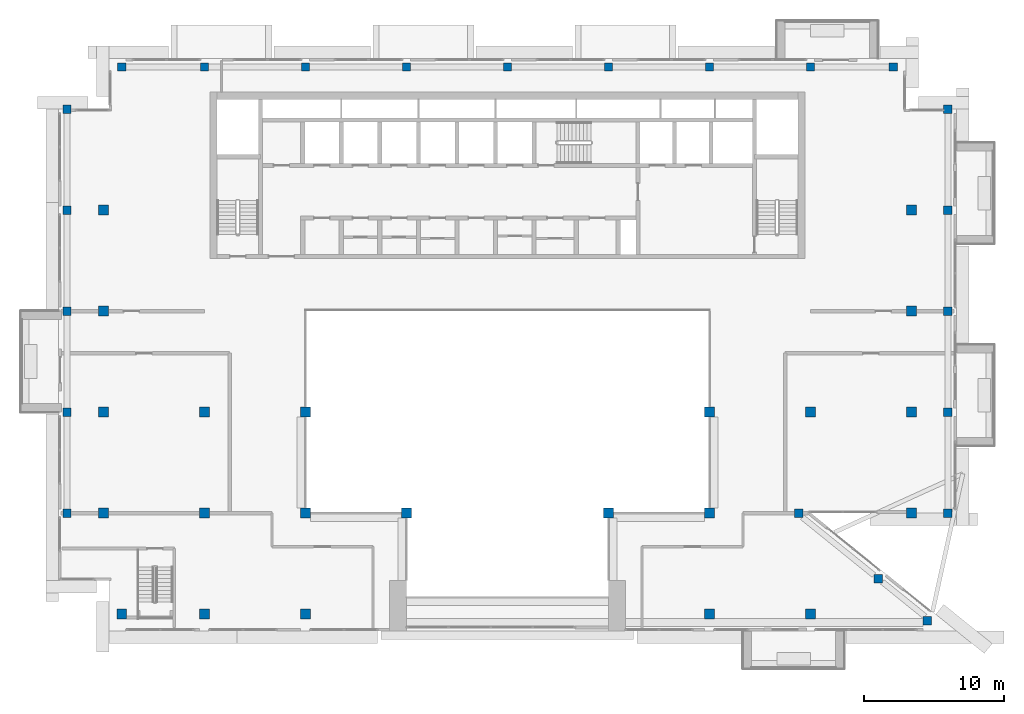
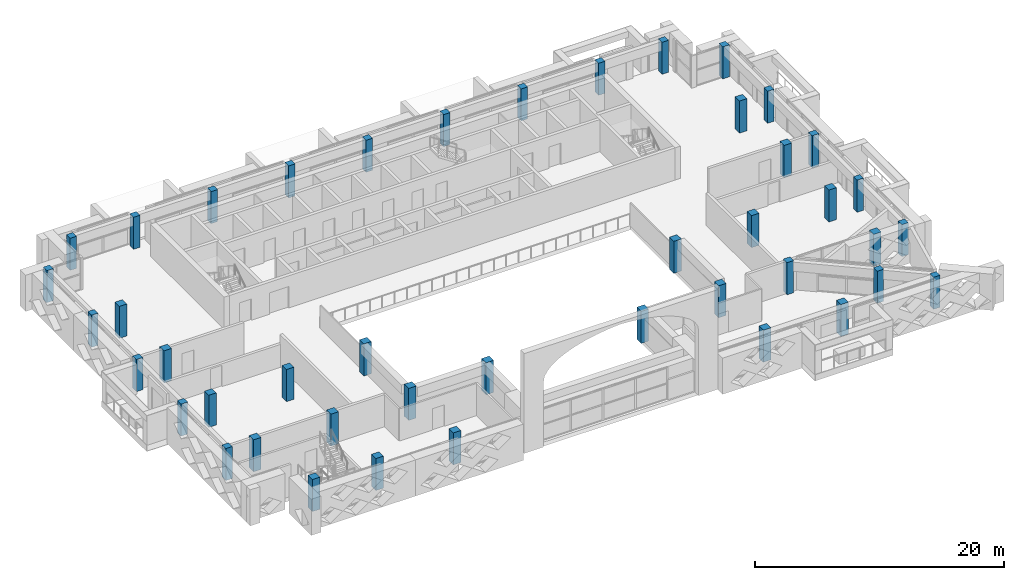
# One storey, part 1 of 22: 44 columns.
"""IFC4 building model written with IfcOpenShell, lengths in metres."""

from ifc_helpers import new_model, si_unit, direction, frame, origin, origin_2d, place, context, subcontext, project, spatial, rectangle, extrude, source, transform, mapped, material, material_profile, profile_set, type_object, element, save


model = new_model("IFC4")

# Units and contexts
model_context = context("Model", 3, precision=1e-05, world=origin(), true_north=direction((0.0, 1.0)))
body_context = subcontext(model_context, "Body", "Model", "MODEL_VIEW")
ifc_project = project(units=[si_unit("LENGTHUNIT", "METRE"), si_unit("AREAUNIT", "SQUARE_METRE"), si_unit("VOLUMEUNIT", "CUBIC_METRE"), si_unit("PLANEANGLEUNIT", "RADIAN"), si_unit("MASSUNIT", "GRAM", prefix="KILO")], contexts=[model_context])

# Site, building, storey
site_placement = place(None, origin())
site = spatial("IfcSite", under=ifc_project, at=site_placement, CompositionType="ELEMENT")
building_placement = place(site_placement, origin())
building = spatial("IfcBuilding", under=site, at=building_placement, Name="Saffron Iwan Residences", CompositionType="ELEMENT")
storey_placement = place(building_placement, frame((0.0, 0.0, 271.0)))
storey = spatial("IfcBuildingStorey", under=building, at=storey_placement, Name="L73", CompositionType="ELEMENT", Elevation=271.0)

# Columns
ifc_material = material(Name="Concrete C40/50", Category="concrete")
ifc_material_profile_1 = material_profile(ifc_material, rectangle(XDim=0.60009765625, YDim=0.60009765625, at=origin_2d()), Name="RC 600x600")
ifc_profile_set_1 = profile_set([ifc_material_profile_1], Name="Concrete C40/50")
column_type_1 = type_object("IfcColumnType", Name="COL RC 600x600 C40/50 3150 HIGH", PredefinedType="COLUMN", material=ifc_profile_set_1)
shared_shape_1 = source(origin(), body_context, "Body", "SweptSolid", [
    extrude(rectangle(XDim=0.60009765625, YDim=0.60009765625, at=origin_2d()), origin(), (0.0, 0.0, 1.0), 3.14990234375),
])
for number, where, z_axis, x_axis, name in (
    (1, (80.32568359375, 40.3330078125, 0.0), (0.0, 0.0, 1.0), (1.0, 0.0, 0.0), "Column C046"),
    (2, (76.822998046875, 43.333251953125, 0.0), (0.0, 0.0, 1.0), (1.0, 0.0, 0.0), "Column C057"),
    (3, (19.0, 48.0, 0.0), (0.0, 0.0, 1.0), (1.0, 0.0, 0.0), "Column C062"),
    (4, (71.14990234375, 48.0, 0.0), (0.0, 0.0, 1.0), (1.0, 0.0, 0.0), "Column C070"),
    (5, (81.800048828125, 48.0, 0.0), (0.0, 0.0, 1.0), (1.0, 0.0, 0.0), "Column C073"),
    (6, (19.0, 55.199951171875, 0.0), (0.0, 0.0, 1.0), (1.0, 0.0, 0.0), "Column C078"),
    (7, (81.800048828125, 55.199951171875, 0.0), (0.0, 0.0, 1.0), (1.0, 0.0, 0.0), "Column C085"),
    (8, (19.0, 62.39990234375, 0.0), (0.0, 0.0, 1.0), (1.0, 0.0, 0.0), "Column C090"),
    (9, (81.800048828125, 62.39990234375, 0.0), (0.0, 0.0, 1.0), (1.0, 0.0, 0.0), "Column C093"),
    (10, (19.0, 69.60009765625, 0.0), (0.0, 0.0, 1.0), (1.0, 0.0, 0.0), "Column C098"),
    (11, (81.800048828125, 69.60009765625, 0.0), (0.0, 0.0, 1.0), (1.0, 0.0, 0.0), "Column C101"),
    (12, (19.0, 76.800048828125, 0.0), (0.0, 0.0, 1.0), (1.0, 0.0, 0.0), "Column C106"),
    (13, (81.800048828125, 76.800048828125, 0.0), (0.0, 0.0, 1.0), (1.0, 0.0, 0.0), "Column C109"),
    (14, (22.89990234375, 79.800048828125, 0.0), (0.0, 0.0, 1.0), (1.0, 0.0, 0.0), "Column C114"),
    (15, (28.800048828125, 79.800048828125, 0.0), (0.0, 0.0, 1.0), (1.0, 0.0, 0.0), "Column C115"),
    (16, (36.0, 79.800048828125, 0.0), (0.0, 0.0, 1.0), (1.0, 0.0, 0.0), "Column C116"),
    (17, (43.199951171875, 79.800048828125, 0.0), (0.0, 0.0, 1.0), (1.0, 0.0, 0.0), "Column C117"),
    (18, (50.39990234375, 79.800048828125, 0.0), (0.0, 0.0, 1.0), (1.0, 0.0, 0.0), "Column C118"),
    (19, (57.60009765625, 79.800048828125, 0.0), (0.0, 0.0, 1.0), (1.0, 0.0, 0.0), "Column C119"),
    (20, (64.800048828125, 79.800048828125, 0.0), (0.0, 0.0, 1.0), (1.0, 0.0, 0.0), "Column C120"),
    (21, (72.0, 79.800048828125, 0.0), (0.0, 0.0, 1.0), (1.0, 0.0, 0.0), "Column C121"),
    (22, (77.89990234375, 79.800048828125, 0.0), (0.0, 0.0, 1.0), (1.0, 0.0, 0.0), "Column C122"),
):
    element("IfcColumn", number, at=place(storey_placement, frame(where, z_axis=z_axis, x_axis=x_axis)), inside=storey, type_object=column_type_1, Name=name, PredefinedType="COLUMN", context=body_context, shape_type="MappedRepresentation", body=[
        mapped(shared_shape_1, transform((0.0, 0.0, 0.0))),
    ])
ifc_material_profile_2 = material_profile(ifc_material, rectangle(XDim=0.699951171875, YDim=0.699951171875, at=origin_2d()), Name="RC 700x700")
ifc_profile_set_2 = profile_set([ifc_material_profile_2], Name="Concrete C40/50")
column_type_2 = type_object("IfcColumnType", Name="COL RC 700x700 C40/50 3150 HIGH", PredefinedType="COLUMN", material=ifc_profile_set_2)
shared_shape_2 = source(origin(), body_context, "Body", "SweptSolid", [
    extrude(rectangle(XDim=0.699951171875, YDim=0.699951171875, at=origin_2d()), origin(), (0.0, 0.0, 1.0), 3.14990234375),
])
for number, where, z_axis, x_axis, name in (
    (23, (22.89990234375, 40.800048828125, 0.0), (0.0, 0.0, 1.0), (1.0, 0.0, 0.0), "Column C050"),
    (24, (28.800048828125, 40.800048828125, 0.0), (0.0, 0.0, 1.0), (1.0, 0.0, 0.0), "Column C051"),
    (25, (36.0, 40.800048828125, 0.0), (0.0, 0.0, 1.0), (1.0, 0.0, 0.0), "Column C052"),
    (26, (64.800048828125, 40.800048828125, 0.0), (0.0, 0.0, 1.0), (1.0, 0.0, 0.0), "Column C055"),
    (27, (72.0, 40.800048828125, 0.0), (0.0, 0.0, 1.0), (1.0, 0.0, 0.0), "Column C056"),
    (28, (21.60009765625, 48.0, 0.0), (0.0, 0.0, 1.0), (1.0, 0.0, 0.0), "Column C063"),
    (29, (28.800048828125, 48.0, 0.0), (0.0, 0.0, 1.0), (1.0, 0.0, 0.0), "Column C064"),
    (30, (36.0, 48.0, 0.0), (0.0, 0.0, 1.0), (1.0, 0.0, 0.0), "Column C065"),
    (31, (43.199951171875, 48.0, 0.0), (0.0, 0.0, 1.0), (1.0, 0.0, 0.0), "Column C066"),
    (32, (57.60009765625, 48.0, 0.0), (0.0, 0.0, 1.0), (1.0, 0.0, 0.0), "Column C068"),
    (33, (64.800048828125, 48.0, 0.0), (0.0, 0.0, 1.0), (1.0, 0.0, 0.0), "Column C069"),
    (34, (79.199951171875, 48.0, 0.0), (0.0, 0.0, 1.0), (1.0, 0.0, 0.0), "Column C072"),
    (35, (21.60009765625, 55.199951171875, 0.0), (0.0, 0.0, 1.0), (1.0, 0.0, 0.0), "Column C079"),
    (36, (28.800048828125, 55.199951171875, 0.0), (0.0, 0.0, 1.0), (1.0, 0.0, 0.0), "Column C080"),
    (37, (36.0, 55.199951171875, 0.0), (0.0, 0.0, 1.0), (1.0, 0.0, 0.0), "Column C081"),
    (38, (64.800048828125, 55.199951171875, 0.0), (0.0, 0.0, 1.0), (1.0, 0.0, 0.0), "Column C082"),
    (39, (72.0, 55.199951171875, 0.0), (0.0, 0.0, 1.0), (1.0, 0.0, 0.0), "Column C083"),
    (40, (79.199951171875, 55.199951171875, 0.0), (0.0, 0.0, 1.0), (1.0, 0.0, 0.0), "Column C084"),
    (41, (21.60009765625, 62.39990234375, 0.0), (0.0, 0.0, 1.0), (1.0, 0.0, 0.0), "Column C091"),
    (42, (79.199951171875, 62.39990234375, 0.0), (0.0, 0.0, 1.0), (1.0, 0.0, 0.0), "Column C092"),
    (43, (21.60009765625, 69.60009765625, 0.0), (0.0, 0.0, 1.0), (1.0, 0.0, 0.0), "Column C099"),
    (44, (79.199951171875, 69.60009765625, 0.0), (0.0, 0.0, 1.0), (1.0, 0.0, 0.0), "Column C100"),
):
    element("IfcColumn", number, at=place(storey_placement, frame(where, z_axis=z_axis, x_axis=x_axis)), inside=storey, type_object=column_type_2, Name=name, PredefinedType="COLUMN", context=body_context, shape_type="MappedRepresentation", body=[
        mapped(shared_shape_2, transform((0.0, 0.0, 0.0))),
    ])

save(model, "model.ifc")
